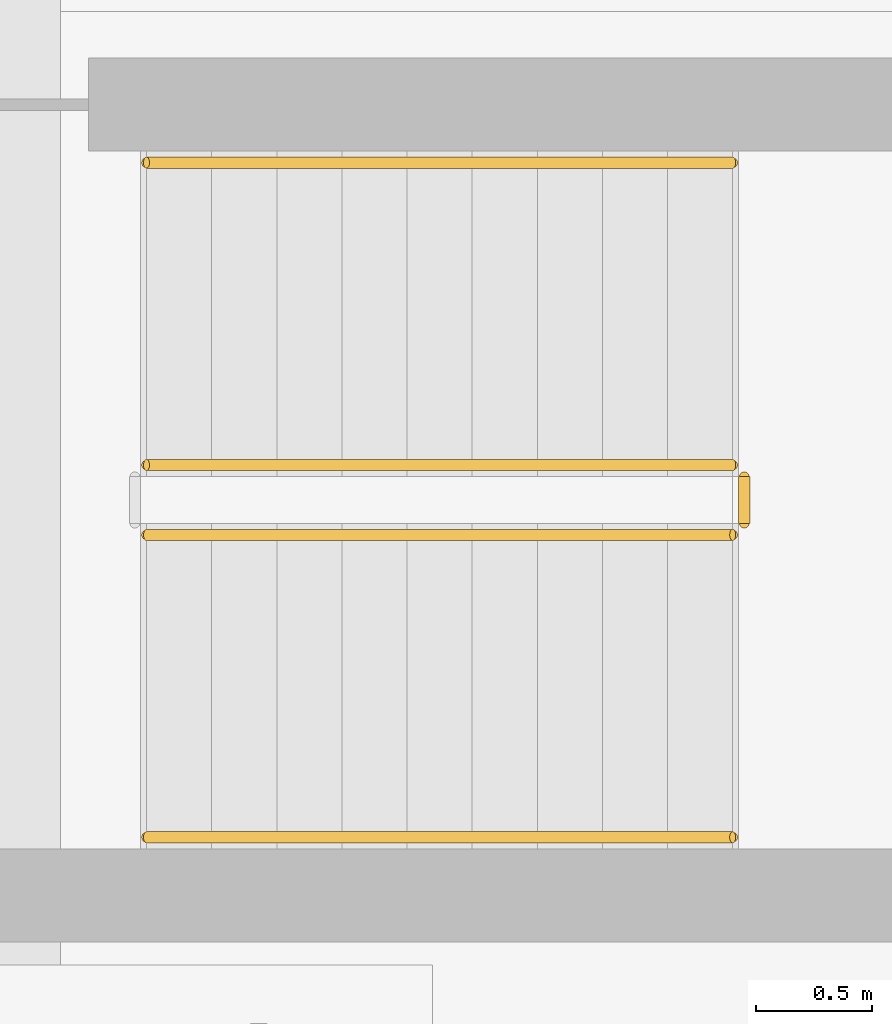
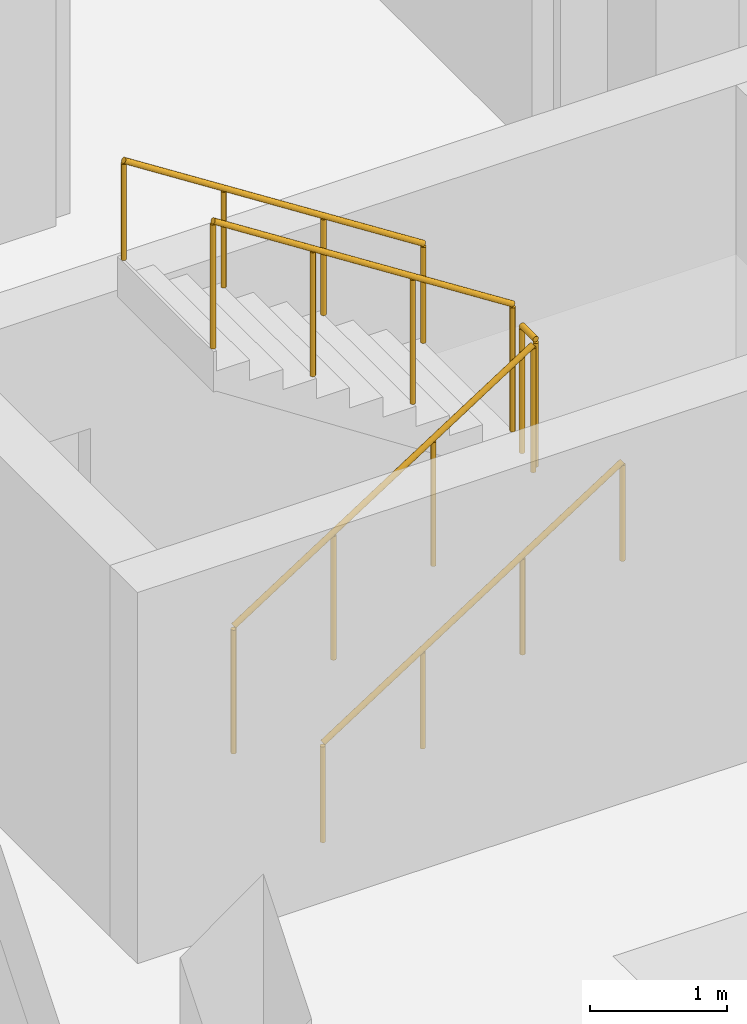
# One storey, part 9 of 13: 5 railings.
"""IFC4 building model written with IfcOpenShell, lengths in metres."""

from ifc_helpers import new_model, si_unit, direction, frame, origin, origin_2d, place, context, subcontext, project, spatial, circle, extrude, material, type_object, element, save


model = new_model("IFC4")

# Units and contexts
model_context = context("Model", 3, precision=1e-05, world=origin(), true_north=direction((0.0, 1.0)))
body_context = subcontext(model_context, "Body", "Model", "MODEL_VIEW")
ifc_project = project(units=[si_unit("LENGTHUNIT", "METRE"), si_unit("AREAUNIT", "SQUARE_METRE"), si_unit("VOLUMEUNIT", "CUBIC_METRE"), si_unit("PLANEANGLEUNIT", "RADIAN"), si_unit("MASSUNIT", "GRAM", prefix="KILO")], contexts=[model_context])

# Site, building, storey
site_placement = place(None, origin())
site = spatial("IfcSite", under=ifc_project, at=site_placement, CompositionType="ELEMENT")
building_placement = place(site_placement, origin())
building = spatial("IfcBuilding", under=site, at=building_placement, Name="Barlavira Tower and Art Museum", CompositionType="ELEMENT")
storey_placement = place(building_placement, frame((0.0, 0.0, -7.199951171875)))
storey = spatial("IfcBuildingStorey", under=building, at=storey_placement, Name="B02", CompositionType="ELEMENT", Elevation=-7.199951171875)

# Railings
ifc_material = material(Name="Brushed stainless steel", Category="steel")
railing_type_1 = type_object("IfcRailingType", Name="Interior Void and Landing Guard Railing 1150", PredefinedType="GUARDRAIL", material=ifc_material)
railing_1_placement = place(storey_placement, frame((32.070068359375, -18.25, 0.179931640625)))
element("IfcRailing", 1, at=railing_1_placement, inside=storey, type_object=railing_type_1, Name="B02 ST-M1 stair guard 1", PredefinedType="GUARDRAIL", context=body_context, shape_type="SweptSolid", body=[
    extrude(circle(Radius=0.02392578125, at=origin_2d()), frame((0.0, 0.0, 1.1259765625), z_axis=(0.841162588446, 0.0, 0.540782303519), x_axis=(0.0, 1.0, 0.0)), (0.0, 0.0, 1.0), 2.995849609375),
    extrude(circle(Radius=0.02099609375, at=origin_2d()), origin(), (0.0, 0.0, 1.0), 1.101806640625),
    extrude(circle(Radius=0.02099609375, at=origin_2d()), frame((0.840087890625, 0.0, 0.5400390625)), (0.0, 0.0, 1.0), 1.101806640625),
    extrude(circle(Radius=0.02099609375, at=origin_2d()), frame((1.679931640625, 0.0, 1.080078125)), (0.0, 0.0, 1.0), 1.101806640625),
    extrude(circle(Radius=0.02099609375, at=origin_2d()), frame((2.52001953125, 0.0, 1.6201171875)), (0.0, 0.0, 1.0), 1.101806640625),
])
railing_2_placement = place(storey_placement, frame((34.639892578125, -18.199951171875, 1.800048828125)))
element("IfcRailing", 2, at=railing_2_placement, inside=storey, type_object=railing_type_1, Name="B02 ST-M1 stair guard 2", PredefinedType="GUARDRAIL", context=body_context, shape_type="SweptSolid", body=[
    extrude(circle(Radius=0.02392578125, at=origin_2d()), frame((0.0, 0.0, 1.1259765625), z_axis=(0.0, 1.0, 0.0), x_axis=(-1.0, 0.0, 0.0)), (0.0, 0.0, 1.0), 0.199951171875),
    extrude(circle(Radius=0.02099609375, at=origin_2d()), origin(), (0.0, 0.0, 1.0), 1.101806640625),
    extrude(circle(Radius=0.02099609375, at=origin_2d()), frame((0.0, 0.199951171875, 0.0)), (0.0, 0.0, 1.0), 1.101806640625),
])
railing_3_placement = place(storey_placement, frame((34.590087890625, -17.949951171875, 1.97998046875)))
element("IfcRailing", 3, at=railing_3_placement, inside=storey, type_object=railing_type_1, Name="B02 ST-M1 stair guard 3", PredefinedType="GUARDRAIL", context=body_context, shape_type="SweptSolid", body=[
    extrude(circle(Radius=0.02392578125, at=origin_2d()), frame((0.0, 0.0, 1.1259765625), z_axis=(-0.841199657755, 0.0, 0.540724639528), x_axis=(0.0, -1.0, 0.0)), (0.0, 0.0, 1.0), 2.995849609375),
    extrude(circle(Radius=0.02099609375, at=origin_2d()), origin(), (0.0, 0.0, 1.0), 1.101806640625),
    extrude(circle(Radius=0.02099609375, at=origin_2d()), frame((-0.840087890625, 0.0, 0.5400390625)), (0.0, 0.0, 1.0), 1.101806640625),
    extrude(circle(Radius=0.02099609375, at=origin_2d()), frame((-1.679931640625, 0.0, 1.079833984375)), (0.0, 0.0, 1.0), 1.101806640625),
    extrude(circle(Radius=0.02099609375, at=origin_2d()), frame((-2.52001953125, 0.0, 1.619873046875)), (0.0, 0.0, 1.0), 1.101806640625),
])
railing_type_2 = type_object("IfcRailingType", Name="Stair Pitch Tubular Steel Handrail 920", PredefinedType="HANDRAIL", material=ifc_material)
railing_4_placement = place(storey_placement, frame((32.070068359375, -19.550048828125, 0.179931640625)))
element("IfcRailing", 4, at=railing_4_placement, inside=storey, type_object=railing_type_2, Name="B02 ST-M1 stair handrail 1", PredefinedType="HANDRAIL", context=body_context, shape_type="SweptSolid", body=[
    extrude(circle(Radius=0.02392578125, at=origin_2d()), frame((0.0, 0.0, 0.8759765625), z_axis=(0.841162588446, 0.0, 0.540782303519), x_axis=(0.0, 1.0, 0.0)), (0.0, 0.0, 1.0), 2.995849609375),
    extrude(circle(Radius=0.02099609375, at=origin_2d()), origin(), (0.0, 0.0, 1.0), 0.851806640625),
    extrude(circle(Radius=0.02099609375, at=origin_2d()), frame((0.840087890625, 0.0, 0.5400390625)), (0.0, 0.0, 1.0), 0.851806640625),
    extrude(circle(Radius=0.02099609375, at=origin_2d()), frame((1.679931640625, 0.0, 1.080078125)), (0.0, 0.0, 1.0), 0.851806640625),
    extrude(circle(Radius=0.02099609375, at=origin_2d()), frame((2.52001953125, 0.0, 1.6201171875)), (0.0, 0.0, 1.0), 0.851806640625),
])
railing_5_placement = place(storey_placement, frame((34.590087890625, -16.64990234375, 1.97998046875)))
element("IfcRailing", 5, at=railing_5_placement, inside=storey, type_object=railing_type_2, Name="B02 ST-M1 stair handrail 2", PredefinedType="HANDRAIL", context=body_context, shape_type="SweptSolid", body=[
    extrude(circle(Radius=0.02392578125, at=origin_2d()), frame((0.0, 0.0, 0.8759765625), z_axis=(-0.841199657755, 0.0, 0.540724639528), x_axis=(0.0, -1.0, 0.0)), (0.0, 0.0, 1.0), 2.995849609375),
    extrude(circle(Radius=0.02099609375, at=origin_2d()), origin(), (0.0, 0.0, 1.0), 0.851806640625),
    extrude(circle(Radius=0.02099609375, at=origin_2d()), frame((-0.840087890625, 0.0, 0.5400390625)), (0.0, 0.0, 1.0), 0.851806640625),
    extrude(circle(Radius=0.02099609375, at=origin_2d()), frame((-1.679931640625, 0.0, 1.079833984375)), (0.0, 0.0, 1.0), 0.851806640625),
    extrude(circle(Radius=0.02099609375, at=origin_2d()), frame((-2.52001953125, 0.0, 1.619873046875)), (0.0, 0.0, 1.0), 0.851806640625),
])

save(model, "model.ifc")
